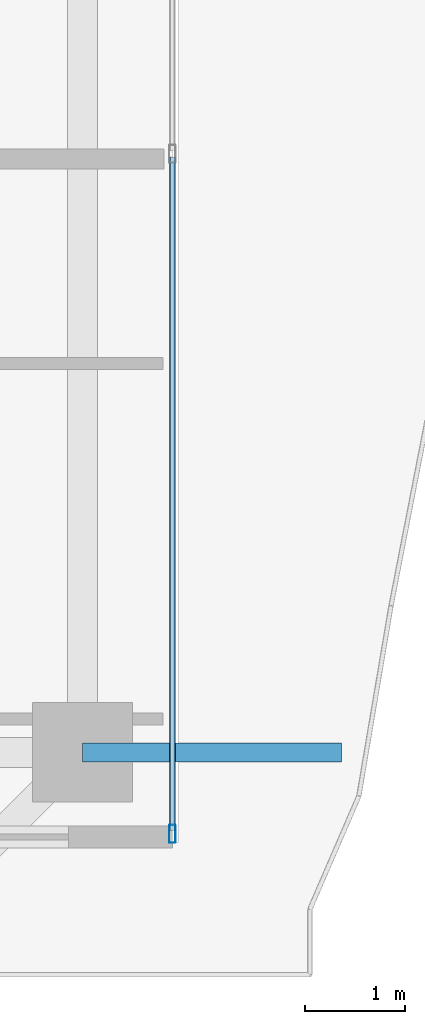
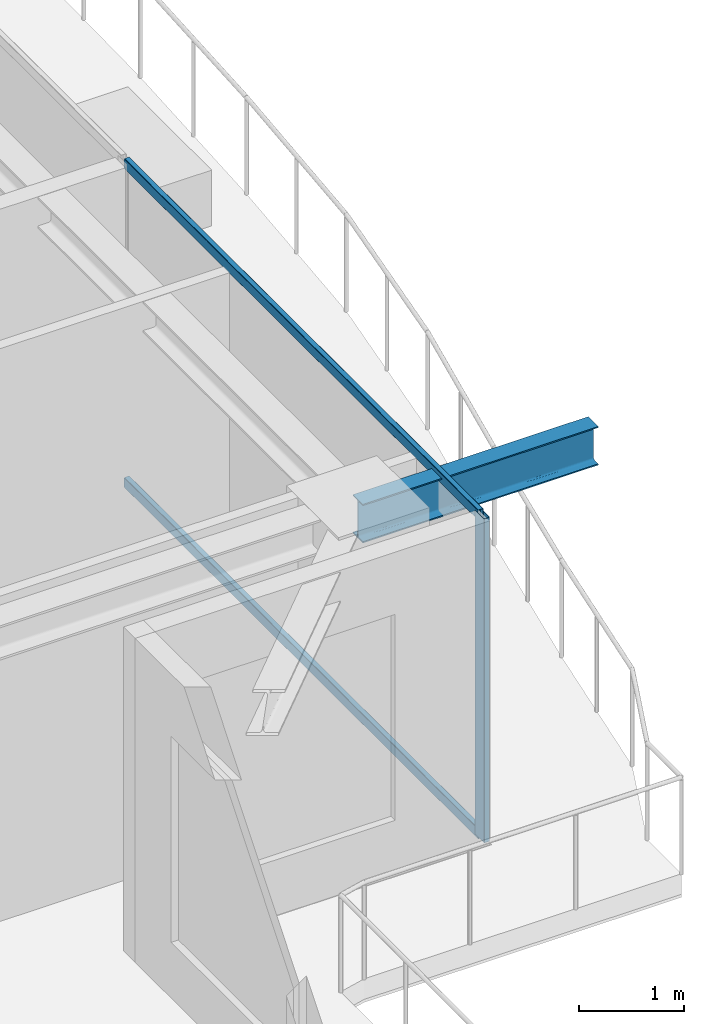
# One storey, part 14 of 42: 3 members, 1 beam, 1 element without a shape of its own.
"""IFC4 building model written with IfcOpenShell, lengths in metres."""

from ifc_helpers import new_model, si_unit, direction, frame, origin, origin_2d, place, context, subcontext, project, spatial, hollow_rectangle, i_section, extrude, source, transform, mapped, material, layer, layer_set, material_profile, profile_set, type_object, element, aggregate, save


model = new_model("IFC4")

# Units and contexts
model_context = context("Model", 3, precision=1e-05, world=origin(), true_north=direction((0.0, 1.0)))
body_context = subcontext(model_context, "Body", "Model", "MODEL_VIEW")
ifc_project = project(units=[si_unit("LENGTHUNIT", "METRE"), si_unit("AREAUNIT", "SQUARE_METRE"), si_unit("VOLUMEUNIT", "CUBIC_METRE"), si_unit("PLANEANGLEUNIT", "RADIAN"), si_unit("MASSUNIT", "GRAM", prefix="KILO")], contexts=[model_context])

# Site, building, storey
site_placement = place(None, origin())
site = spatial("IfcSite", under=ifc_project, at=site_placement, CompositionType="ELEMENT")
building_placement = place(site_placement, origin())
building = spatial("IfcBuilding", under=site, at=building_placement, Name="Serunith Strait Residences", CompositionType="ELEMENT")
storey_placement = place(building_placement, frame((0.0, 0.0, 297.5)))
storey = spatial("IfcBuildingStorey", under=building, at=storey_placement, Name="L74", CompositionType="ELEMENT", Elevation=297.5)

# Beam
ifc_material_1 = material(Name="Steel S355J2", Category="steel")
ifc_material_profile_1 = material_profile(ifc_material_1, i_section(OverallWidth=0.18994140625, OverallDepth=0.449951171875, WebThickness=0.009521484375, FlangeThickness=0.0146484375, FilletRadius=0.02099609375, at=origin_2d()), Name="IPE 450")
ifc_profile_set_1 = profile_set([ifc_material_profile_1], Name="Steel S355J2")
beam_type = type_object("IfcBeamType", Name="BM-IPE450", PredefinedType="JOIST", material=ifc_profile_set_1)
shared_shape_1 = source(origin(), body_context, "Body", "SweptSolid", [
    extrude(i_section(OverallWidth=0.18994140625, OverallDepth=0.449951171875, WebThickness=0.009521484375, FlangeThickness=0.0146484375, FilletRadius=0.02099609375, at=origin_2d()), origin(), (0.0, 0.0, 1.0), 2.595703125),
])
beam_placement = place(storey_placement, frame((54.699951171875, 10.85009765625, 3.531982421875), z_axis=(1.0, 0.0, 0.0), x_axis=(0.0, 1.0, 0.0)))
element("IfcBeam", 1, at=beam_placement, inside=storey, type_object=beam_type, Name="L75 Cantilevered Balcony Rib TC-E1", PredefinedType="JOIST", context=body_context, shape_type="MappedRepresentation", body=[
    mapped(shared_shape_1, transform((0.0, 0.0, 0.0), scale=1.0)),
])

# Curtain wall, members
ifc_material_2 = material(Name="Brushed Stainless-Silver Aluminium", Category="aluminium")
ifc_layer = layer(ifc_material_2, 0.199951171875, Name="Brushed Stainless-Silver Aluminium")
ifc_layer_set = layer_set([ifc_layer], Name="Brushed Stainless-Silver Aluminium")
curtain_wall_type = type_object("IfcCurtainWallType", Name="CW-SYS5", PredefinedType="NOTDEFINED", material=ifc_layer_set)
curtain_wall_placement = place(storey_placement, origin())
curtain_wall = element("IfcCurtainWall", 2, at=curtain_wall_placement, inside=storey, type_object=curtain_wall_type, Name="L74 E Unitised Fritted Curtain Wall", PredefinedType="NOTDEFINED")
ifc_material_profile_2 = material_profile(ifc_material_2, hollow_rectangle(XDim=0.06005859375, YDim=0.1201171875, WallThickness=0.00341796875, InnerFilletRadius=0.00537109375, OuterFilletRadius=0.0087890625, at=origin_2d()), Name="ALU 120x60x3.5")
ifc_profile_set_2 = profile_set([ifc_material_profile_2], Name="Brushed Stainless-Silver Aluminium")
member_type_1 = type_object("IfcMemberType", Name="CW-SYS5-TRAN", PredefinedType="USERDEFINED", material=ifc_profile_set_2)
shared_shape_2 = source(origin(), body_context, "Body", "SweptSolid", [
    extrude(hollow_rectangle(XDim=0.06005859375, YDim=0.1201171875, WallThickness=0.00341796875, InnerFilletRadius=0.00537109375, OuterFilletRadius=0.0087890625, at=origin_2d()), origin(), (0.0, 0.0, 1.0), 6.75244140625),
])
member_1_placement = place(storey_placement, frame((55.60009765625, 10.06494140625, 0.030029296875), z_axis=(0.0, 1.0, 0.0), x_axis=(-1.0, 0.0, 0.0)))
member_1 = element("IfcMember", 3, at=member_1_placement, type_object=member_type_1, Name="CW-5 transom 1.1", ObjectType="TRANSOM", PredefinedType="USERDEFINED", context=body_context, shape_type="MappedRepresentation", body=[
    mapped(shared_shape_2, transform((0.0, 0.0, 0.0), scale=1.0)),
])
member_2_placement = place(storey_placement, frame((55.60009765625, 10.06494140625, 3.7451171875), z_axis=(0.0, 1.0, 0.0), x_axis=(-1.0, 0.0, 0.0)))
member_2 = element("IfcMember", 4, at=member_2_placement, type_object=member_type_1, Name="CW-5 transom 1.2", ObjectType="TRANSOM", PredefinedType="USERDEFINED", context=body_context, shape_type="MappedRepresentation", body=[
    mapped(shared_shape_2, transform((0.0, 0.0, 0.0), scale=1.0)),
])
ifc_material_profile_3 = material_profile(ifc_material_2, hollow_rectangle(XDim=0.06494140625, YDim=0.179931640625, WallThickness=0.00341796875, InnerFilletRadius=0.00537109375, OuterFilletRadius=0.0087890625, at=origin_2d()), Name="ALU 180x65x3.5")
ifc_profile_set_3 = profile_set([ifc_material_profile_3], Name="Brushed Stainless-Silver Aluminium")
member_type_2 = type_object("IfcMemberType", Name="CW-SYS5-MULL", PredefinedType="MULLION", material=ifc_profile_set_3)
shared_shape_3 = source(origin(), body_context, "Body", "SweptSolid", [
    extrude(hollow_rectangle(XDim=0.06494140625, YDim=0.179931640625, WallThickness=0.00341796875, InnerFilletRadius=0.00537109375, OuterFilletRadius=0.0087890625, at=origin_2d()), origin(), (0.0, 0.0, 1.0), 3.77490234375),
])
member_3_placement = place(storey_placement, frame((55.60009765625, 10.032470703125, 0.0), z_axis=(0.0, 0.0, 1.0), x_axis=(-1.0, 0.0, 0.0)))
member_3 = element("IfcMember", 5, at=member_3_placement, type_object=member_type_2, Name="CW-5 mullion 1", PredefinedType="MULLION", context=body_context, shape_type="MappedRepresentation", body=[
    mapped(shared_shape_3, transform((0.0, 0.0, 0.0), scale=1.0)),
])
aggregate(curtain_wall, [member_3, member_1, member_2])

save(model, "model.ifc")
